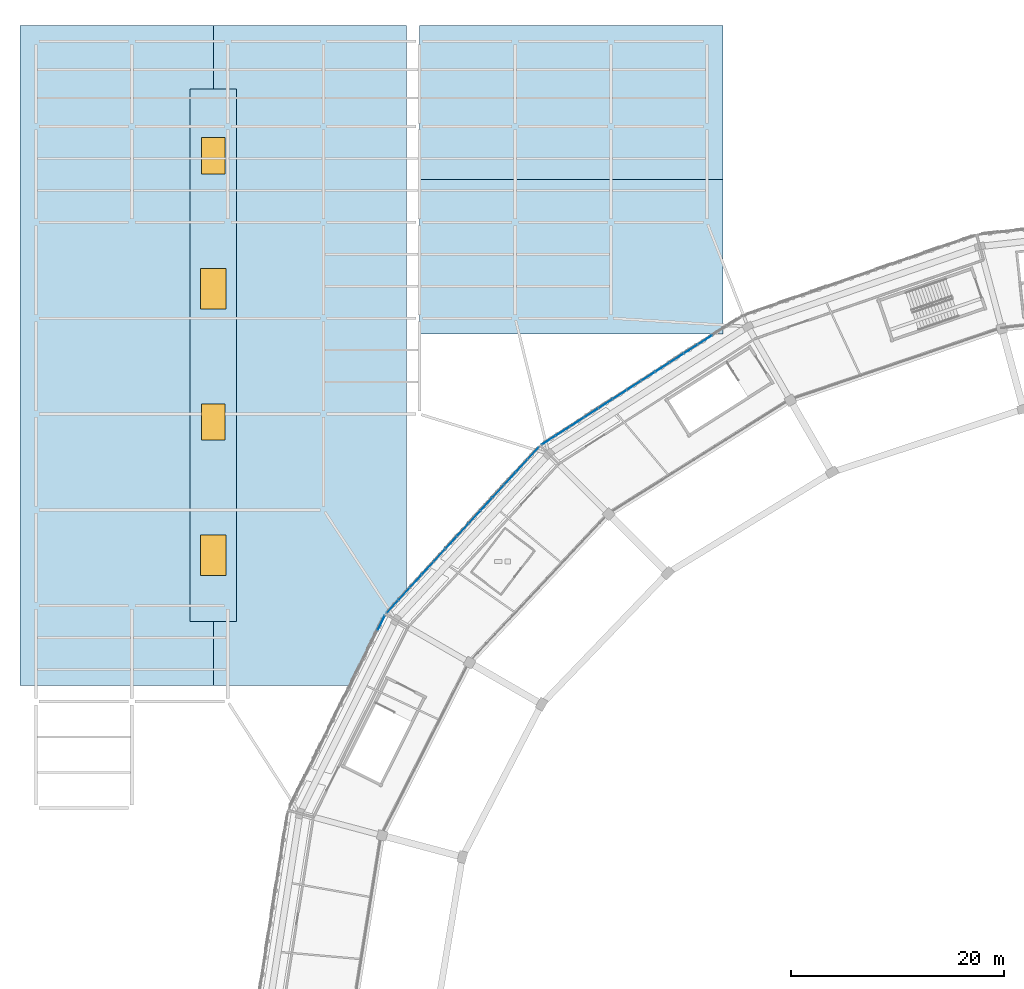
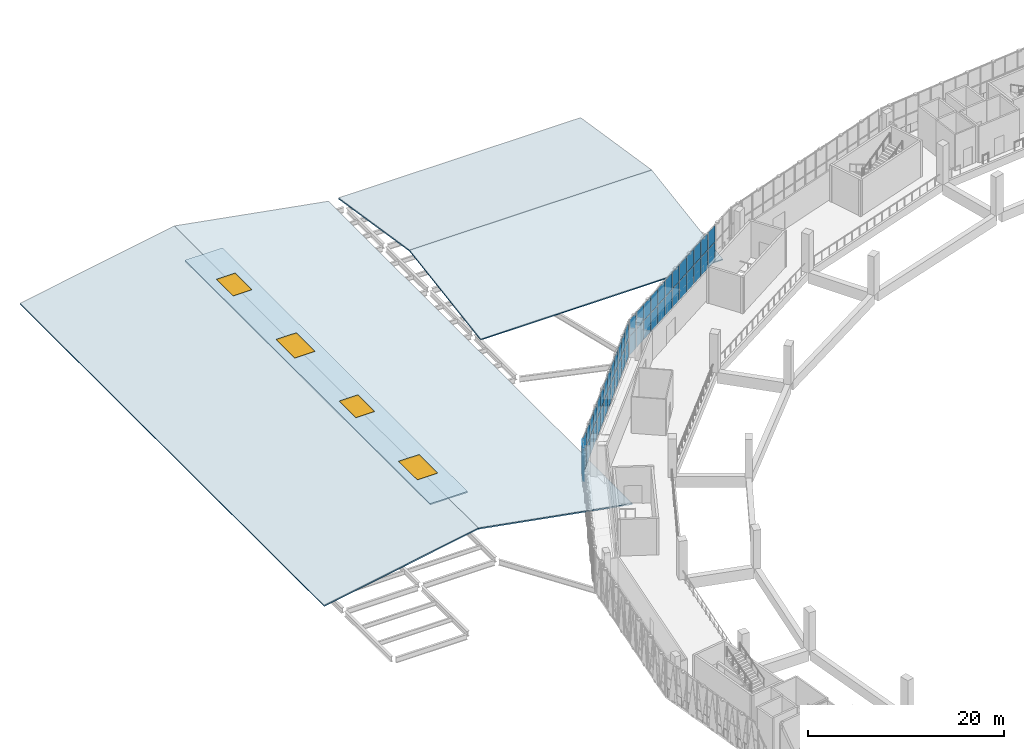
# One storey, part 60 of 108: 52 plates, 5 slabs, 4 windows, 4 openings, 3 elements without a shape of their own.
"""IFC4 building model written with IfcOpenShell, lengths in metres."""

from ifc_helpers import new_model, si_unit, direction, frame, origin, origin_2d, place, context, subcontext, project, spatial, polyline, rectangle, outline, extrude, material, layer, layer_set, type_object, element, fill, aggregate, save


model = new_model("IFC4")

# Units and contexts
model_context = context("Model", 3, precision=1e-05, world=origin(), true_north=direction((0.0, 1.0)))
body_context = subcontext(model_context, "Body", "Model", "MODEL_VIEW")
ifc_project = project(units=[si_unit("LENGTHUNIT", "METRE"), si_unit("AREAUNIT", "SQUARE_METRE"), si_unit("VOLUMEUNIT", "CUBIC_METRE"), si_unit("PLANEANGLEUNIT", "RADIAN"), si_unit("MASSUNIT", "GRAM", prefix="KILO")], contexts=[model_context])

# Site, building, storey
site_placement = place(None, origin())
site = spatial("IfcSite", under=ifc_project, at=site_placement, CompositionType="ELEMENT")
building_placement = place(site_placement, origin())
building = spatial("IfcBuilding", under=site, at=building_placement, Name="Zevraka Park Crest Stadium", CompositionType="ELEMENT")
storey_placement = place(building_placement, frame((0.0, 0.0, 19.800048828125)))
storey = spatial("IfcBuildingStorey", under=building, at=storey_placement, Name="L04", CompositionType="ELEMENT", Elevation=19.800048828125)

# Curtain wall, plates
ifc_material_1 = material(Name="Anodised architectural aluminium and laminated safety glass", Category="aluminium")
curtain_wall_type_1 = type_object("IfcCurtainWallType", Name="CW17", PredefinedType="NOTDEFINED", material=ifc_material_1)
curtain_wall_1_placement = place(storey_placement, origin())
curtain_wall_1 = element("IfcCurtainWall", 1, at=curtain_wall_1_placement, inside=storey, type_object=curtain_wall_type_1, Name="Unitised Ring Curtain Wall CW17 L04-10", PredefinedType="NOTDEFINED")
ifc_material_2 = material(Name="Solar-control laminated double glazing", Category="glass")
ifc_layer_1 = layer(ifc_material_2, 0.031982421875)
ifc_layer_set_1 = layer_set([ifc_layer_1], Name="Solar-control laminated double glazing")
plate_type_1 = type_object("IfcPlateType", Name="CP17", PredefinedType="CURTAIN_PANEL", material=ifc_layer_set_1)
plate_1_placement = place(storey_placement, frame((32.4150390625, 129.37451171875, 0.06494140625), z_axis=(0.0, 0.0, 1.0), x_axis=(-0.443961067545, -0.896046076106, 0.0)))
plate_1 = element("IfcPlate", 2, at=plate_1_placement, type_object=plate_type_1, Name="CW17 panel 1.1", PredefinedType="CURTAIN_PANEL", context=body_context, shape_type="SweptSolid", body=[
    extrude(rectangle(XDim=1.46484375, YDim=0.031982421875, at=origin_2d()), origin(), (0.0, 0.0, 1.0), 2.302490234375),
])
plate_2_placement = place(storey_placement, frame((32.4150390625, 129.37451171875, 2.432373046875), z_axis=(0.0, 0.0, 1.0), x_axis=(-0.443961067545, -0.896046076106, 0.0)))
plate_2 = element("IfcPlate", 3, at=plate_2_placement, type_object=plate_type_1, Name="CW17 panel 1.2", PredefinedType="CURTAIN_PANEL", context=body_context, shape_type="SweptSolid", body=[
    extrude(rectangle(XDim=1.46484375, YDim=0.031982421875, at=origin_2d()), origin(), (0.0, 0.0, 1.0), 2.04248046875),
])
aggregate(curtain_wall_1, [plate_1, plate_2])

ifc_material_3 = material(Name="Anodised architectural aluminium and laminated safety glass", Category="aluminium")
curtain_wall_type_2 = type_object("IfcCurtainWallType", Name="CW18", PredefinedType="NOTDEFINED", material=ifc_material_3)
curtain_wall_2_placement = place(storey_placement, origin())
curtain_wall_2 = element("IfcCurtainWall", 4, at=curtain_wall_2_placement, inside=storey, type_object=curtain_wall_type_2, Name="Unitised Ring Curtain Wall CW18 L04-08", PredefinedType="NOTDEFINED")
ifc_material_4 = material(Name="Solar-control laminated double glazing", Category="glass")
ifc_layer_2 = layer(ifc_material_4, 0.031982421875)
ifc_layer_set_2 = layer_set([ifc_layer_2], Name="Solar-control laminated double glazing")
plate_type_2 = type_object("IfcPlateType", Name="CP18", PredefinedType="CURTAIN_PANEL", material=ifc_layer_set_2)
plate_3_placement = place(storey_placement, frame((62.833251953125, 155.964111328125, 0.070068359375), z_axis=(0.0, 0.0, 1.0), x_axis=(-0.841677883781, -0.539979944029, 0.0)))
plate_3 = element("IfcPlate", 5, at=plate_3_placement, type_object=plate_type_2, Name="CW18 panel 3.1", PredefinedType="CURTAIN_PANEL", context=body_context, shape_type="SweptSolid", body=[
    extrude(rectangle(XDim=1.51806640625, YDim=0.031982421875, at=origin_2d()), origin(), (0.0, 0.0, 1.0), 2.294921875),
])
plate_4_placement = place(storey_placement, frame((62.833251953125, 155.964111328125, 2.43505859375), z_axis=(0.0, 0.0, 1.0), x_axis=(-0.841677883781, -0.539979944029, 0.0)))
plate_4 = element("IfcPlate", 6, at=plate_4_placement, type_object=plate_type_2, Name="CW18 panel 3.2", PredefinedType="CURTAIN_PANEL", context=body_context, shape_type="SweptSolid", body=[
    extrude(rectangle(XDim=1.51806640625, YDim=0.031982421875, at=origin_2d()), origin(), (0.0, 0.0, 1.0), 2.034912109375),
])
plate_5_placement = place(storey_placement, frame((61.49658203125, 155.1064453125, 0.070068359375), z_axis=(0.0, 0.0, 1.0), x_axis=(-0.841677883781, -0.539979944029, 0.0)))
plate_5 = element("IfcPlate", 7, at=plate_5_placement, type_object=plate_type_2, Name="CW18 panel 4.1", PredefinedType="CURTAIN_PANEL", context=body_context, shape_type="SweptSolid", body=[
    extrude(rectangle(XDim=1.51806640625, YDim=0.031982421875, at=origin_2d()), origin(), (0.0, 0.0, 1.0), 2.294921875),
])
plate_6_placement = place(storey_placement, frame((61.49658203125, 155.1064453125, 2.43505859375), z_axis=(0.0, 0.0, 1.0), x_axis=(-0.841677883781, -0.539979944029, 0.0)))
plate_6 = element("IfcPlate", 8, at=plate_6_placement, type_object=plate_type_2, Name="CW18 panel 4.2", PredefinedType="CURTAIN_PANEL", context=body_context, shape_type="SweptSolid", body=[
    extrude(rectangle(XDim=1.51806640625, YDim=0.031982421875, at=origin_2d()), origin(), (0.0, 0.0, 1.0), 2.034912109375),
])
plate_7_placement = place(storey_placement, frame((60.15966796875, 154.2490234375, 0.070068359375), z_axis=(0.0, 0.0, 1.0), x_axis=(-0.841677883781, -0.539979944029, 0.0)))
plate_7 = element("IfcPlate", 9, at=plate_7_placement, type_object=plate_type_2, Name="CW18 panel 5.1", PredefinedType="CURTAIN_PANEL", context=body_context, shape_type="SweptSolid", body=[
    extrude(rectangle(XDim=1.51806640625, YDim=0.031982421875, at=origin_2d()), origin(), (0.0, 0.0, 1.0), 2.294921875),
])
plate_8_placement = place(storey_placement, frame((60.15966796875, 154.2490234375, 2.43505859375), z_axis=(0.0, 0.0, 1.0), x_axis=(-0.841677883781, -0.539979944029, 0.0)))
plate_8 = element("IfcPlate", 10, at=plate_8_placement, type_object=plate_type_2, Name="CW18 panel 5.2", PredefinedType="CURTAIN_PANEL", context=body_context, shape_type="SweptSolid", body=[
    extrude(rectangle(XDim=1.51806640625, YDim=0.031982421875, at=origin_2d()), origin(), (0.0, 0.0, 1.0), 2.034912109375),
])
plate_9_placement = place(storey_placement, frame((58.822998046875, 153.391357421875, 0.070068359375), z_axis=(0.0, 0.0, 1.0), x_axis=(-0.841677883781, -0.539979944029, 0.0)))
plate_9 = element("IfcPlate", 11, at=plate_9_placement, type_object=plate_type_2, Name="CW18 panel 6.1", PredefinedType="CURTAIN_PANEL", context=body_context, shape_type="SweptSolid", body=[
    extrude(rectangle(XDim=1.51806640625, YDim=0.031982421875, at=origin_2d()), origin(), (0.0, 0.0, 1.0), 2.294921875),
])
plate_10_placement = place(storey_placement, frame((58.822998046875, 153.391357421875, 2.43505859375), z_axis=(0.0, 0.0, 1.0), x_axis=(-0.841677883781, -0.539979944029, 0.0)))
plate_10 = element("IfcPlate", 12, at=plate_10_placement, type_object=plate_type_2, Name="CW18 panel 6.2", PredefinedType="CURTAIN_PANEL", context=body_context, shape_type="SweptSolid", body=[
    extrude(rectangle(XDim=1.51806640625, YDim=0.031982421875, at=origin_2d()), origin(), (0.0, 0.0, 1.0), 2.034912109375),
])
plate_11_placement = place(storey_placement, frame((57.486328125, 152.53369140625, 0.070068359375), z_axis=(0.0, 0.0, 1.0), x_axis=(-0.841677883781, -0.539979944029, 0.0)))
plate_11 = element("IfcPlate", 13, at=plate_11_placement, type_object=plate_type_2, Name="CW18 panel 7.1", PredefinedType="CURTAIN_PANEL", context=body_context, shape_type="SweptSolid", body=[
    extrude(rectangle(XDim=1.51806640625, YDim=0.031982421875, at=origin_2d()), origin(), (0.0, 0.0, 1.0), 2.294921875),
])
plate_12_placement = place(storey_placement, frame((57.486328125, 152.53369140625, 2.43505859375), z_axis=(0.0, 0.0, 1.0), x_axis=(-0.841677883781, -0.539979944029, 0.0)))
plate_12 = element("IfcPlate", 14, at=plate_12_placement, type_object=plate_type_2, Name="CW18 panel 7.2", PredefinedType="CURTAIN_PANEL", context=body_context, shape_type="SweptSolid", body=[
    extrude(rectangle(XDim=1.51806640625, YDim=0.031982421875, at=origin_2d()), origin(), (0.0, 0.0, 1.0), 2.034912109375),
])
plate_13_placement = place(storey_placement, frame((56.149658203125, 151.67626953125, 0.070068359375), z_axis=(0.0, 0.0, 1.0), x_axis=(-0.841677883781, -0.539979944029, 0.0)))
plate_13 = element("IfcPlate", 15, at=plate_13_placement, type_object=plate_type_2, Name="CW18 panel 8.1", PredefinedType="CURTAIN_PANEL", context=body_context, shape_type="SweptSolid", body=[
    extrude(rectangle(XDim=1.51806640625, YDim=0.031982421875, at=origin_2d()), origin(), (0.0, 0.0, 1.0), 2.294921875),
])
plate_14_placement = place(storey_placement, frame((56.149658203125, 151.67626953125, 2.43505859375), z_axis=(0.0, 0.0, 1.0), x_axis=(-0.841677883781, -0.539979944029, 0.0)))
plate_14 = element("IfcPlate", 16, at=plate_14_placement, type_object=plate_type_2, Name="CW18 panel 8.2", PredefinedType="CURTAIN_PANEL", context=body_context, shape_type="SweptSolid", body=[
    extrude(rectangle(XDim=1.51806640625, YDim=0.031982421875, at=origin_2d()), origin(), (0.0, 0.0, 1.0), 2.034912109375),
])
plate_15_placement = place(storey_placement, frame((54.81298828125, 150.818603515625, 0.070068359375), z_axis=(0.0, 0.0, 1.0), x_axis=(-0.841677883781, -0.539979944029, 0.0)))
plate_15 = element("IfcPlate", 17, at=plate_15_placement, type_object=plate_type_2, Name="CW18 panel 9.1", PredefinedType="CURTAIN_PANEL", context=body_context, shape_type="SweptSolid", body=[
    extrude(rectangle(XDim=1.51806640625, YDim=0.031982421875, at=origin_2d()), origin(), (0.0, 0.0, 1.0), 2.294921875),
])
plate_16_placement = place(storey_placement, frame((54.81298828125, 150.818603515625, 2.43505859375), z_axis=(0.0, 0.0, 1.0), x_axis=(-0.841677883781, -0.539979944029, 0.0)))
plate_16 = element("IfcPlate", 18, at=plate_16_placement, type_object=plate_type_2, Name="CW18 panel 9.2", PredefinedType="CURTAIN_PANEL", context=body_context, shape_type="SweptSolid", body=[
    extrude(rectangle(XDim=1.51806640625, YDim=0.031982421875, at=origin_2d()), origin(), (0.0, 0.0, 1.0), 2.034912109375),
])
plate_17_placement = place(storey_placement, frame((53.476318359375, 149.961181640625, 0.070068359375), z_axis=(0.0, 0.0, 1.0), x_axis=(-0.841677883781, -0.539979944029, 0.0)))
plate_17 = element("IfcPlate", 19, at=plate_17_placement, type_object=plate_type_2, Name="CW18 panel 10.1", PredefinedType="CURTAIN_PANEL", context=body_context, shape_type="SweptSolid", body=[
    extrude(rectangle(XDim=1.51806640625, YDim=0.031982421875, at=origin_2d()), origin(), (0.0, 0.0, 1.0), 2.294921875),
])
plate_18_placement = place(storey_placement, frame((53.476318359375, 149.961181640625, 2.43505859375), z_axis=(0.0, 0.0, 1.0), x_axis=(-0.841677883781, -0.539979944029, 0.0)))
plate_18 = element("IfcPlate", 20, at=plate_18_placement, type_object=plate_type_2, Name="CW18 panel 10.2", PredefinedType="CURTAIN_PANEL", context=body_context, shape_type="SweptSolid", body=[
    extrude(rectangle(XDim=1.51806640625, YDim=0.031982421875, at=origin_2d()), origin(), (0.0, 0.0, 1.0), 2.034912109375),
])
plate_19_placement = place(storey_placement, frame((52.139404296875, 149.103515625, 0.070068359375), z_axis=(0.0, 0.0, 1.0), x_axis=(-0.841677883781, -0.539979944029, 0.0)))
plate_19 = element("IfcPlate", 21, at=plate_19_placement, type_object=plate_type_2, Name="CW18 panel 11.1", PredefinedType="CURTAIN_PANEL", context=body_context, shape_type="SweptSolid", body=[
    extrude(rectangle(XDim=1.51806640625, YDim=0.031982421875, at=origin_2d()), origin(), (0.0, 0.0, 1.0), 2.294921875),
])
plate_20_placement = place(storey_placement, frame((52.139404296875, 149.103515625, 2.43505859375), z_axis=(0.0, 0.0, 1.0), x_axis=(-0.841677883781, -0.539979944029, 0.0)))
plate_20 = element("IfcPlate", 22, at=plate_20_placement, type_object=plate_type_2, Name="CW18 panel 11.2", PredefinedType="CURTAIN_PANEL", context=body_context, shape_type="SweptSolid", body=[
    extrude(rectangle(XDim=1.51806640625, YDim=0.031982421875, at=origin_2d()), origin(), (0.0, 0.0, 1.0), 2.034912109375),
])
plate_21_placement = place(storey_placement, frame((50.802734375, 148.245849609375, 0.070068359375), z_axis=(0.0, 0.0, 1.0), x_axis=(-0.841677883781, -0.539979944029, 0.0)))
plate_21 = element("IfcPlate", 23, at=plate_21_placement, type_object=plate_type_2, Name="CW18 panel 12.1", PredefinedType="CURTAIN_PANEL", context=body_context, shape_type="SweptSolid", body=[
    extrude(rectangle(XDim=1.51806640625, YDim=0.031982421875, at=origin_2d()), origin(), (0.0, 0.0, 1.0), 2.294921875),
])
plate_22_placement = place(storey_placement, frame((50.802734375, 148.245849609375, 2.43505859375), z_axis=(0.0, 0.0, 1.0), x_axis=(-0.841677883781, -0.539979944029, 0.0)))
plate_22 = element("IfcPlate", 24, at=plate_22_placement, type_object=plate_type_2, Name="CW18 panel 12.2", PredefinedType="CURTAIN_PANEL", context=body_context, shape_type="SweptSolid", body=[
    extrude(rectangle(XDim=1.51806640625, YDim=0.031982421875, at=origin_2d()), origin(), (0.0, 0.0, 1.0), 2.034912109375),
])
plate_23_placement = place(storey_placement, frame((49.466064453125, 147.388427734375, 0.070068359375), z_axis=(0.0, 0.0, 1.0), x_axis=(-0.841677883781, -0.539979944029, 0.0)))
plate_23 = element("IfcPlate", 25, at=plate_23_placement, type_object=plate_type_2, Name="CW18 panel 13.1", PredefinedType="CURTAIN_PANEL", context=body_context, shape_type="SweptSolid", body=[
    extrude(rectangle(XDim=1.51806640625, YDim=0.031982421875, at=origin_2d()), origin(), (0.0, 0.0, 1.0), 2.294921875),
])
plate_24_placement = place(storey_placement, frame((49.466064453125, 147.388427734375, 2.43505859375), z_axis=(0.0, 0.0, 1.0), x_axis=(-0.841677883781, -0.539979944029, 0.0)))
plate_24 = element("IfcPlate", 26, at=plate_24_placement, type_object=plate_type_2, Name="CW18 panel 13.2", PredefinedType="CURTAIN_PANEL", context=body_context, shape_type="SweptSolid", body=[
    extrude(rectangle(XDim=1.51806640625, YDim=0.031982421875, at=origin_2d()), origin(), (0.0, 0.0, 1.0), 2.034912109375),
])
plate_25_placement = place(storey_placement, frame((48.14404296875, 146.540283203125, 0.070068359375), z_axis=(0.0, 0.0, 1.0), x_axis=(-0.841677883781, -0.539979944029, 0.0)))
plate_25 = element("IfcPlate", 27, at=plate_25_placement, type_object=plate_type_2, Name="CW18 panel 14.1", PredefinedType="CURTAIN_PANEL", context=body_context, shape_type="SweptSolid", body=[
    extrude(rectangle(XDim=1.483154296875, YDim=0.031982421875, at=origin_2d()), origin(), (0.0, 0.0, 1.0), 2.294921875),
])
plate_26_placement = place(storey_placement, frame((48.14404296875, 146.540283203125, 2.43505859375), z_axis=(0.0, 0.0, 1.0), x_axis=(-0.841677883781, -0.539979944029, 0.0)))
plate_26 = element("IfcPlate", 28, at=plate_26_placement, type_object=plate_type_2, Name="CW18 panel 14.2", PredefinedType="CURTAIN_PANEL", context=body_context, shape_type="SweptSolid", body=[
    extrude(rectangle(XDim=1.483154296875, YDim=0.031982421875, at=origin_2d()), origin(), (0.0, 0.0, 1.0), 2.034912109375),
])
aggregate(curtain_wall_2, [plate_3, plate_4, plate_5, plate_6, plate_7, plate_8, plate_9, plate_10, plate_11, plate_12, plate_13, plate_14, plate_15, plate_16, plate_17, plate_18, plate_19, plate_20, plate_21, plate_22, plate_23, plate_24, plate_25, plate_26])

curtain_wall_3_placement = place(storey_placement, origin())
curtain_wall_3 = element("IfcCurtainWall", 29, at=curtain_wall_3_placement, inside=storey, type_object=curtain_wall_type_2, Name="Unitised Ring Curtain Wall CW18 L04-09", PredefinedType="NOTDEFINED")
plate_27_placement = place(storey_placement, frame((46.7001953125, 145.32275390625, 0.070068359375), z_axis=(0.0, 0.0, 1.0), x_axis=(-0.676138417355, -0.736774619932, 0.0)))
plate_27 = element("IfcPlate", 30, at=plate_27_placement, type_object=plate_type_2, Name="CW18 panel 1.1", PredefinedType="CURTAIN_PANEL", context=body_context, shape_type="SweptSolid", body=[
    extrude(rectangle(XDim=1.527587890625, YDim=0.031982421875, at=origin_2d()), origin(), (0.0, 0.0, 1.0), 2.294921875),
])
plate_28_placement = place(storey_placement, frame((46.7001953125, 145.32275390625, 2.43505859375), z_axis=(0.0, 0.0, 1.0), x_axis=(-0.676138417355, -0.736774619932, 0.0)))
plate_28 = element("IfcPlate", 31, at=plate_28_placement, type_object=plate_type_2, Name="CW18 panel 1.2", PredefinedType="CURTAIN_PANEL", context=body_context, shape_type="SweptSolid", body=[
    extrude(rectangle(XDim=1.527587890625, YDim=0.031982421875, at=origin_2d()), origin(), (0.0, 0.0, 1.0), 2.034912109375),
])
plate_29_placement = place(storey_placement, frame((45.608154296875, 144.132568359375, 0.070068359375), z_axis=(0.0, 0.0, 1.0), x_axis=(-0.676138417355, -0.736774619932, 0.0)))
plate_29 = element("IfcPlate", 32, at=plate_29_placement, type_object=plate_type_2, Name="CW18 panel 2.1", PredefinedType="CURTAIN_PANEL", context=body_context, shape_type="SweptSolid", body=[
    extrude(rectangle(XDim=1.562744140625, YDim=0.031982421875, at=origin_2d()), origin(), (0.0, 0.0, 1.0), 2.294921875),
])
plate_30_placement = place(storey_placement, frame((45.608154296875, 144.132568359375, 2.43505859375), z_axis=(0.0, 0.0, 1.0), x_axis=(-0.676138417355, -0.736774619932, 0.0)))
plate_30 = element("IfcPlate", 33, at=plate_30_placement, type_object=plate_type_2, Name="CW18 panel 2.2", PredefinedType="CURTAIN_PANEL", context=body_context, shape_type="SweptSolid", body=[
    extrude(rectangle(XDim=1.562744140625, YDim=0.031982421875, at=origin_2d()), origin(), (0.0, 0.0, 1.0), 2.034912109375),
])
plate_31_placement = place(storey_placement, frame((44.504150390625, 142.9296875, 0.070068359375), z_axis=(0.0, 0.0, 1.0), x_axis=(-0.676138417355, -0.736774619932, 0.0)))
plate_31 = element("IfcPlate", 34, at=plate_31_placement, type_object=plate_type_2, Name="CW18 panel 3.1", PredefinedType="CURTAIN_PANEL", context=body_context, shape_type="SweptSolid", body=[
    extrude(rectangle(XDim=1.562744140625, YDim=0.031982421875, at=origin_2d()), origin(), (0.0, 0.0, 1.0), 2.294921875),
])
plate_32_placement = place(storey_placement, frame((44.504150390625, 142.9296875, 2.43505859375), z_axis=(0.0, 0.0, 1.0), x_axis=(-0.676138417355, -0.736774619932, 0.0)))
plate_32 = element("IfcPlate", 35, at=plate_32_placement, type_object=plate_type_2, Name="CW18 panel 3.2", PredefinedType="CURTAIN_PANEL", context=body_context, shape_type="SweptSolid", body=[
    extrude(rectangle(XDim=1.562744140625, YDim=0.031982421875, at=origin_2d()), origin(), (0.0, 0.0, 1.0), 2.034912109375),
])
plate_33_placement = place(storey_placement, frame((43.400390625, 141.726806640625, 0.070068359375), z_axis=(0.0, 0.0, 1.0), x_axis=(-0.676138417355, -0.736774619932, 0.0)))
plate_33 = element("IfcPlate", 36, at=plate_33_placement, type_object=plate_type_2, Name="CW18 panel 4.1", PredefinedType="CURTAIN_PANEL", context=body_context, shape_type="SweptSolid", body=[
    extrude(rectangle(XDim=1.562744140625, YDim=0.031982421875, at=origin_2d()), origin(), (0.0, 0.0, 1.0), 2.294921875),
])
plate_34_placement = place(storey_placement, frame((43.400390625, 141.726806640625, 2.43505859375), z_axis=(0.0, 0.0, 1.0), x_axis=(-0.676138417355, -0.736774619932, 0.0)))
plate_34 = element("IfcPlate", 37, at=plate_34_placement, type_object=plate_type_2, Name="CW18 panel 4.2", PredefinedType="CURTAIN_PANEL", context=body_context, shape_type="SweptSolid", body=[
    extrude(rectangle(XDim=1.562744140625, YDim=0.031982421875, at=origin_2d()), origin(), (0.0, 0.0, 1.0), 2.034912109375),
])
plate_35_placement = place(storey_placement, frame((42.29638671875, 140.52392578125, 0.070068359375), z_axis=(0.0, 0.0, 1.0), x_axis=(-0.676138417355, -0.736774619932, 0.0)))
plate_35 = element("IfcPlate", 38, at=plate_35_placement, type_object=plate_type_2, Name="CW18 panel 5.1", PredefinedType="CURTAIN_PANEL", context=body_context, shape_type="SweptSolid", body=[
    extrude(rectangle(XDim=1.562744140625, YDim=0.031982421875, at=origin_2d()), origin(), (0.0, 0.0, 1.0), 2.294921875),
])
plate_36_placement = place(storey_placement, frame((42.29638671875, 140.52392578125, 2.43505859375), z_axis=(0.0, 0.0, 1.0), x_axis=(-0.676138417355, -0.736774619932, 0.0)))
plate_36 = element("IfcPlate", 39, at=plate_36_placement, type_object=plate_type_2, Name="CW18 panel 5.2", PredefinedType="CURTAIN_PANEL", context=body_context, shape_type="SweptSolid", body=[
    extrude(rectangle(XDim=1.562744140625, YDim=0.031982421875, at=origin_2d()), origin(), (0.0, 0.0, 1.0), 2.034912109375),
])
plate_37_placement = place(storey_placement, frame((41.1923828125, 139.321044921875, 0.070068359375), z_axis=(0.0, 0.0, 1.0), x_axis=(-0.676138417355, -0.736774619932, 0.0)))
plate_37 = element("IfcPlate", 40, at=plate_37_placement, type_object=plate_type_2, Name="CW18 panel 6.1", PredefinedType="CURTAIN_PANEL", context=body_context, shape_type="SweptSolid", body=[
    extrude(rectangle(XDim=1.562744140625, YDim=0.031982421875, at=origin_2d()), origin(), (0.0, 0.0, 1.0), 2.294921875),
])
plate_38_placement = place(storey_placement, frame((41.1923828125, 139.321044921875, 2.43505859375), z_axis=(0.0, 0.0, 1.0), x_axis=(-0.676138417355, -0.736774619932, 0.0)))
plate_38 = element("IfcPlate", 41, at=plate_38_placement, type_object=plate_type_2, Name="CW18 panel 6.2", PredefinedType="CURTAIN_PANEL", context=body_context, shape_type="SweptSolid", body=[
    extrude(rectangle(XDim=1.562744140625, YDim=0.031982421875, at=origin_2d()), origin(), (0.0, 0.0, 1.0), 2.034912109375),
])
plate_39_placement = place(storey_placement, frame((40.08837890625, 138.117919921875, 0.070068359375), z_axis=(0.0, 0.0, 1.0), x_axis=(-0.676138417355, -0.736774619932, 0.0)))
plate_39 = element("IfcPlate", 42, at=plate_39_placement, type_object=plate_type_2, Name="CW18 panel 7.1", PredefinedType="CURTAIN_PANEL", context=body_context, shape_type="SweptSolid", body=[
    extrude(rectangle(XDim=1.562744140625, YDim=0.031982421875, at=origin_2d()), origin(), (0.0, 0.0, 1.0), 2.294921875),
])
plate_40_placement = place(storey_placement, frame((40.08837890625, 138.117919921875, 2.43505859375), z_axis=(0.0, 0.0, 1.0), x_axis=(-0.676138417355, -0.736774619932, 0.0)))
plate_40 = element("IfcPlate", 43, at=plate_40_placement, type_object=plate_type_2, Name="CW18 panel 7.2", PredefinedType="CURTAIN_PANEL", context=body_context, shape_type="SweptSolid", body=[
    extrude(rectangle(XDim=1.562744140625, YDim=0.031982421875, at=origin_2d()), origin(), (0.0, 0.0, 1.0), 2.034912109375),
])
plate_41_placement = place(storey_placement, frame((38.984619140625, 136.9150390625, 0.070068359375), z_axis=(0.0, 0.0, 1.0), x_axis=(-0.676138417355, -0.736774619932, 0.0)))
plate_41 = element("IfcPlate", 44, at=plate_41_placement, type_object=plate_type_2, Name="CW18 panel 8.1", PredefinedType="CURTAIN_PANEL", context=body_context, shape_type="SweptSolid", body=[
    extrude(rectangle(XDim=1.562744140625, YDim=0.031982421875, at=origin_2d()), origin(), (0.0, 0.0, 1.0), 2.294921875),
])
plate_42_placement = place(storey_placement, frame((38.984619140625, 136.9150390625, 2.43505859375), z_axis=(0.0, 0.0, 1.0), x_axis=(-0.676138417355, -0.736774619932, 0.0)))
plate_42 = element("IfcPlate", 45, at=plate_42_placement, type_object=plate_type_2, Name="CW18 panel 8.2", PredefinedType="CURTAIN_PANEL", context=body_context, shape_type="SweptSolid", body=[
    extrude(rectangle(XDim=1.562744140625, YDim=0.031982421875, at=origin_2d()), origin(), (0.0, 0.0, 1.0), 2.034912109375),
])
plate_43_placement = place(storey_placement, frame((37.880615234375, 135.712158203125, 0.070068359375), z_axis=(0.0, 0.0, 1.0), x_axis=(-0.676138417355, -0.736774619932, 0.0)))
plate_43 = element("IfcPlate", 46, at=plate_43_placement, type_object=plate_type_2, Name="CW18 panel 9.1", PredefinedType="CURTAIN_PANEL", context=body_context, shape_type="SweptSolid", body=[
    extrude(rectangle(XDim=1.562744140625, YDim=0.031982421875, at=origin_2d()), origin(), (0.0, 0.0, 1.0), 2.294921875),
])
plate_44_placement = place(storey_placement, frame((37.880615234375, 135.712158203125, 2.43505859375), z_axis=(0.0, 0.0, 1.0), x_axis=(-0.676138417355, -0.736774619932, 0.0)))
plate_44 = element("IfcPlate", 47, at=plate_44_placement, type_object=plate_type_2, Name="CW18 panel 9.2", PredefinedType="CURTAIN_PANEL", context=body_context, shape_type="SweptSolid", body=[
    extrude(rectangle(XDim=1.562744140625, YDim=0.031982421875, at=origin_2d()), origin(), (0.0, 0.0, 1.0), 2.034912109375),
])
plate_45_placement = place(storey_placement, frame((36.776611328125, 134.50927734375, 0.070068359375), z_axis=(0.0, 0.0, 1.0), x_axis=(-0.676138417355, -0.736774619932, 0.0)))
plate_45 = element("IfcPlate", 48, at=plate_45_placement, type_object=plate_type_2, Name="CW18 panel 10.1", PredefinedType="CURTAIN_PANEL", context=body_context, shape_type="SweptSolid", body=[
    extrude(rectangle(XDim=1.562744140625, YDim=0.031982421875, at=origin_2d()), origin(), (0.0, 0.0, 1.0), 2.294921875),
])
plate_46_placement = place(storey_placement, frame((36.776611328125, 134.50927734375, 2.43505859375), z_axis=(0.0, 0.0, 1.0), x_axis=(-0.676138417355, -0.736774619932, 0.0)))
plate_46 = element("IfcPlate", 49, at=plate_46_placement, type_object=plate_type_2, Name="CW18 panel 10.2", PredefinedType="CURTAIN_PANEL", context=body_context, shape_type="SweptSolid", body=[
    extrude(rectangle(XDim=1.562744140625, YDim=0.031982421875, at=origin_2d()), origin(), (0.0, 0.0, 1.0), 2.034912109375),
])
plate_47_placement = place(storey_placement, frame((35.6728515625, 133.306396484375, 0.070068359375), z_axis=(0.0, 0.0, 1.0), x_axis=(-0.676138417355, -0.736774619932, 0.0)))
plate_47 = element("IfcPlate", 50, at=plate_47_placement, type_object=plate_type_2, Name="CW18 panel 11.1", PredefinedType="CURTAIN_PANEL", context=body_context, shape_type="SweptSolid", body=[
    extrude(rectangle(XDim=1.562744140625, YDim=0.031982421875, at=origin_2d()), origin(), (0.0, 0.0, 1.0), 2.294921875),
])
plate_48_placement = place(storey_placement, frame((35.6728515625, 133.306396484375, 2.43505859375), z_axis=(0.0, 0.0, 1.0), x_axis=(-0.676138417355, -0.736774619932, 0.0)))
plate_48 = element("IfcPlate", 51, at=plate_48_placement, type_object=plate_type_2, Name="CW18 panel 11.2", PredefinedType="CURTAIN_PANEL", context=body_context, shape_type="SweptSolid", body=[
    extrude(rectangle(XDim=1.562744140625, YDim=0.031982421875, at=origin_2d()), origin(), (0.0, 0.0, 1.0), 2.034912109375),
])
plate_49_placement = place(storey_placement, frame((34.56884765625, 132.103271484375, 0.070068359375), z_axis=(0.0, 0.0, 1.0), x_axis=(-0.676138417355, -0.736774619932, 0.0)))
plate_49 = element("IfcPlate", 52, at=plate_49_placement, type_object=plate_type_2, Name="CW18 panel 12.1", PredefinedType="CURTAIN_PANEL", context=body_context, shape_type="SweptSolid", body=[
    extrude(rectangle(XDim=1.562744140625, YDim=0.031982421875, at=origin_2d()), origin(), (0.0, 0.0, 1.0), 2.294921875),
])
plate_50_placement = place(storey_placement, frame((34.56884765625, 132.103271484375, 2.43505859375), z_axis=(0.0, 0.0, 1.0), x_axis=(-0.676138417355, -0.736774619932, 0.0)))
plate_50 = element("IfcPlate", 53, at=plate_50_placement, type_object=plate_type_2, Name="CW18 panel 12.2", PredefinedType="CURTAIN_PANEL", context=body_context, shape_type="SweptSolid", body=[
    extrude(rectangle(XDim=1.562744140625, YDim=0.031982421875, at=origin_2d()), origin(), (0.0, 0.0, 1.0), 2.034912109375),
])
plate_51_placement = place(storey_placement, frame((33.476806640625, 130.913330078125, 0.070068359375), z_axis=(0.0, 0.0, 1.0), x_axis=(-0.676138417355, -0.736774619932, 0.0)))
plate_51 = element("IfcPlate", 54, at=plate_51_placement, type_object=plate_type_2, Name="CW18 panel 13.1", PredefinedType="CURTAIN_PANEL", context=body_context, shape_type="SweptSolid", body=[
    extrude(rectangle(XDim=1.527587890625, YDim=0.031982421875, at=origin_2d()), origin(), (0.0, 0.0, 1.0), 2.294921875),
])
plate_52_placement = place(storey_placement, frame((33.476806640625, 130.913330078125, 2.43505859375), z_axis=(0.0, 0.0, 1.0), x_axis=(-0.676138417355, -0.736774619932, 0.0)))
plate_52 = element("IfcPlate", 55, at=plate_52_placement, type_object=plate_type_2, Name="CW18 panel 13.2", PredefinedType="CURTAIN_PANEL", context=body_context, shape_type="SweptSolid", body=[
    extrude(rectangle(XDim=1.527587890625, YDim=0.031982421875, at=origin_2d()), origin(), (0.0, 0.0, 1.0), 2.034912109375),
])
aggregate(curtain_wall_3, [plate_27, plate_28, plate_29, plate_30, plate_31, plate_32, plate_33, plate_34, plate_35, plate_36, plate_37, plate_38, plate_39, plate_40, plate_41, plate_42, plate_43, plate_44, plate_45, plate_46, plate_47, plate_48, plate_49, plate_50, plate_51, plate_52])

# Slabs
ifc_material_5 = material(Name="Concrete C35/45", Category="concrete")
ifc_layer_3 = layer(ifc_material_5, 0.159912109375)
ifc_layer_set_3 = layer_set([ifc_layer_3], Name="Concrete C35/45")
slab_type = type_object("IfcSlabType", Name="RS02", PredefinedType="ROOF", material=ifc_layer_set_3)
slab_1_placement = place(storey_placement, frame((-1.5, 185.5, -0.179931640625), z_axis=(-0.177825318632, 0.0, 0.984062069208), x_axis=(0.0, -1.0, 0.0)))
element("IfcSlab", 56, at=slab_1_placement, inside=storey, type_object=slab_type, Name="Pitched Pavilion Roof Slab RS02 NW-ROOF-W", PredefinedType="ROOF", context=body_context, shape_type="SweptSolid", body=[
    extrude(outline(polyline([(0.0, 0.0), (62.0, 0.0), (62.0, 18.44385929676378), (0.0, 18.44385929676378), (0.0, 0.0)])), origin(), (0.0, 0.0, -1.0), 0.159912109375),
])
slab_2_placement = place(storey_placement, frame((34.800048828125, 123.5, -0.179931640625), z_axis=(0.177823002311, 0.0, 0.984062487777), x_axis=(0.0, 1.0, 0.0)))
element("IfcSlab", 57, at=slab_2_placement, inside=storey, type_object=slab_type, Name="Pitched Pavilion Roof Slab RS02 NW-ROOF-E", PredefinedType="ROOF", context=body_context, shape_type="SweptSolid", body=[
    extrude(outline(polyline([(0.0, 0.0), (62.0, 0.0), (62.0, 18.444099546343487), (0.0, 18.444099546343487), (0.0, 0.0)])), origin(), (0.0, 0.0, -1.0), 0.159912109375),
])

# Slab, openings, windows
slab_3_placement = place(storey_placement, frame((0.0, 0.0, 3.099853515625)))
slab_3 = element("IfcSlab", 58, at=slab_3_placement, inside=storey, type_object=slab_type, Name="Ridge Skylight Curb Roof Slab NW-ROOF", PredefinedType="ROOF", context=body_context, shape_type="SweptSolid", body=[
    extrude(outline(polyline([(14.449951171875, 129.5), (18.85009765625, 129.5), (18.85009765625, 179.5), (14.449951171875, 179.5), (14.449951171875, 129.5)])), origin(), (0.0, 0.0, 1.0), 0.16015625),
])
opening_1_placement = place(slab_3_placement, frame((16.64990234375, 135.75, 0.0)))
opening_1 = element("IfcOpeningElement", 59, at=opening_1_placement, cuts=slab_3, Name="Opening SK03", PredefinedType="OPENING", context=body_context, shape_type="SweptSolid", body=[
    extrude(rectangle(XDim=2.39990234375, YDim=3.800048828125, at=origin_2d()), origin(), (0.0, 0.0, 1.0), 0.16015625),
])
opening_2_placement = place(slab_3_placement, frame((16.64990234375, 148.25, 0.0)))
opening_2 = element("IfcOpeningElement", 60, at=opening_2_placement, cuts=slab_3, Name="Opening SK06", PredefinedType="OPENING", context=body_context, shape_type="SweptSolid", body=[
    extrude(rectangle(XDim=2.199951171875, YDim=3.39990234375, at=origin_2d()), origin(), (0.0, 0.0, 1.0), 0.16015625),
])
opening_3_placement = place(slab_3_placement, frame((16.64990234375, 160.75, 0.0)))
opening_3 = element("IfcOpeningElement", 61, at=opening_3_placement, cuts=slab_3, Name="Opening SK03", PredefinedType="OPENING", context=body_context, shape_type="SweptSolid", body=[
    extrude(rectangle(XDim=2.39990234375, YDim=3.800048828125, at=origin_2d()), origin(), (0.0, 0.0, 1.0), 0.16015625),
])
opening_4_placement = place(slab_3_placement, frame((16.64990234375, 173.25, 0.0)))
opening_4 = element("IfcOpeningElement", 62, at=opening_4_placement, cuts=slab_3, Name="Opening SK06", PredefinedType="OPENING", context=body_context, shape_type="SweptSolid", body=[
    extrude(rectangle(XDim=2.199951171875, YDim=3.39990234375, at=origin_2d()), origin(), (0.0, 0.0, 1.0), 0.16015625),
])
ifc_material_6 = material(Name="Solar-control laminated double glazing in aluminium frame", Category="aluminium")
window_type_1 = type_object("IfcWindowType", Name="SK03", PartitioningType="SINGLE_PANEL", PredefinedType="SKYLIGHT", material=ifc_material_6)
window_1_placement = place(opening_1_placement, frame((0.0, 0.0, 0.110107421875)))
window_1 = element("IfcWindow", 63, at=window_1_placement, inside=storey, type_object=window_type_1, Name="Pavilion Ridge Skylight SK03 SKY-05", OverallHeight=3.800048828125, OverallWidth=2.39990234375, PartitioningType="SINGLE_PANEL", PredefinedType="SKYLIGHT", context=body_context, shape_type="SweptSolid", body=[
    extrude(rectangle(XDim=2.39990234375, YDim=3.800048828125, at=origin_2d()), origin(), (0.0, 0.0, 1.0), 0.050048828125),
])
fill(opening_1, window_1)
window_2_placement = place(opening_3_placement, frame((0.0, 0.0, 0.110107421875)))
window_2 = element("IfcWindow", 64, at=window_2_placement, inside=storey, type_object=window_type_1, Name="Pavilion Ridge Skylight SK03 SKY-07", OverallHeight=3.800048828125, OverallWidth=2.39990234375, PartitioningType="SINGLE_PANEL", PredefinedType="SKYLIGHT", context=body_context, shape_type="SweptSolid", body=[
    extrude(rectangle(XDim=2.39990234375, YDim=3.800048828125, at=origin_2d()), origin(), (0.0, 0.0, 1.0), 0.050048828125),
])
fill(opening_3, window_2)
ifc_material_7 = material(Name="Solar-control laminated double glazing in aluminium frame", Category="aluminium")
window_type_2 = type_object("IfcWindowType", Name="SK06", PartitioningType="SINGLE_PANEL", PredefinedType="SKYLIGHT", material=ifc_material_7)
window_3_placement = place(opening_2_placement, frame((0.0, 0.0, 0.110107421875)))
window_3 = element("IfcWindow", 65, at=window_3_placement, inside=storey, type_object=window_type_2, Name="Pavilion Ridge Skylight SK06 SKY-06", OverallHeight=3.39990234375, OverallWidth=2.199951171875, PartitioningType="SINGLE_PANEL", PredefinedType="SKYLIGHT", context=body_context, shape_type="SweptSolid", body=[
    extrude(rectangle(XDim=2.199951171875, YDim=3.39990234375, at=origin_2d()), origin(), (0.0, 0.0, 1.0), 0.050048828125),
])
fill(opening_2, window_3)
window_4_placement = place(opening_4_placement, frame((0.0, 0.0, 0.110107421875)))
window_4 = element("IfcWindow", 66, at=window_4_placement, inside=storey, type_object=window_type_2, Name="Pavilion Ridge Skylight SK06 SKY-08", OverallHeight=3.39990234375, OverallWidth=2.199951171875, PartitioningType="SINGLE_PANEL", PredefinedType="SKYLIGHT", context=body_context, shape_type="SweptSolid", body=[
    extrude(rectangle(XDim=2.199951171875, YDim=3.39990234375, at=origin_2d()), origin(), (0.0, 0.0, 1.0), 0.050048828125),
])
fill(opening_4, window_4)

# Slabs
for number, where, z_axis, x_axis, name in (
    (67, (36.0, 156.5, -0.179931640625), (0.0, -0.155318530302, 0.987864441178), (1.0, 0.0, 0.0), "Pitched Pavilion Roof Slab RS02 NW-BAR-ROOF-S"),
    (68, (64.5, 185.5, -0.179931640625), (0.0, 0.155318530302, 0.987864441178), (-1.0, 0.0, 0.0), "Pitched Pavilion Roof Slab RS02 NW-BAR-ROOF-N"),
):
    element("IfcSlab", number, at=place(storey_placement, frame(where, z_axis=z_axis, x_axis=x_axis)), inside=storey, type_object=slab_type, Name=name, PredefinedType="ROOF", context=body_context, shape_type="SweptSolid", body=[
        extrude(outline(polyline([(0.0, 0.0), (28.5, 0.0), (28.5, 14.678127276960703), (0.0, 14.678127276960703), (0.0, 0.0)])), origin(), (0.0, 0.0, -1.0), 0.159912109375),
    ])

save(model, "model.ifc")
